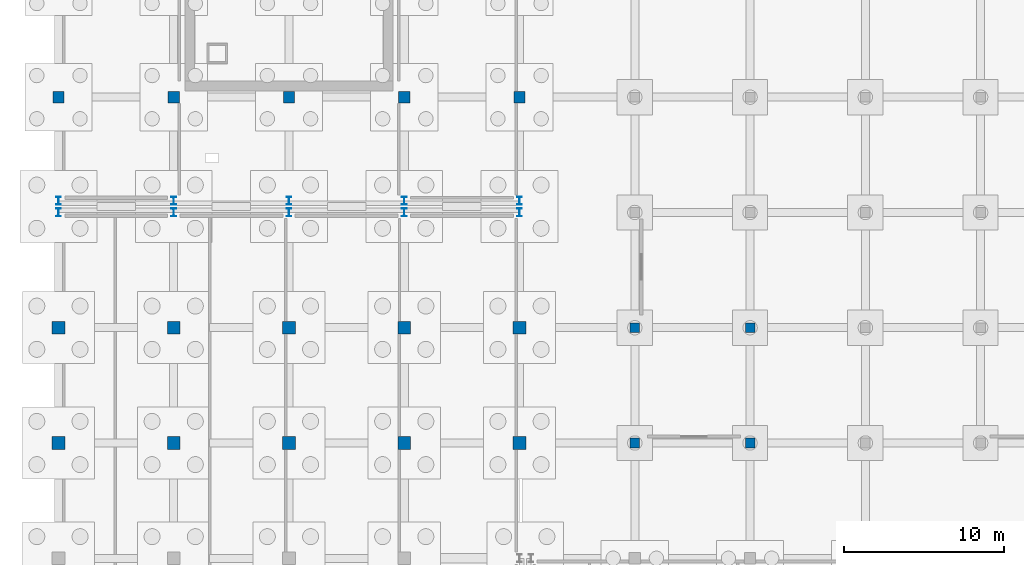
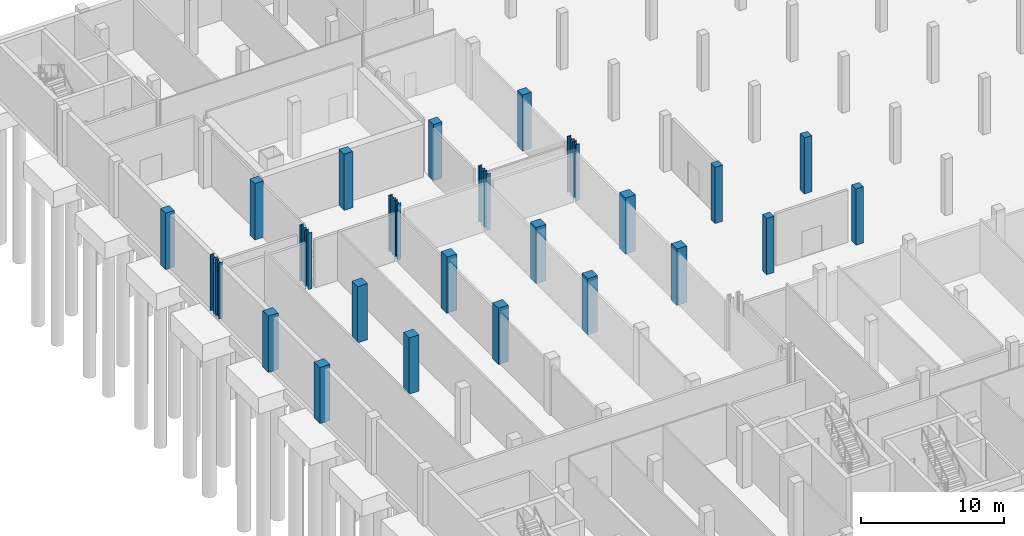
# One storey, part 11 of 35: 29 columns.
"""IFC4 building model written with IfcOpenShell, lengths in metres."""

from ifc_helpers import new_model, si_unit, direction, frame, origin, origin_2d, place, context, subcontext, project, spatial, rectangle, i_section, extrude, material, material_profile, profile_set, type_object, element, save


model = new_model("IFC4")

# Units and contexts
model_context = context("Model", 3, precision=1e-05, world=origin(), true_north=direction((0.0, 1.0)))
body_context = subcontext(model_context, "Body", "Model", "MODEL_VIEW")
ifc_project = project(units=[si_unit("LENGTHUNIT", "METRE"), si_unit("AREAUNIT", "SQUARE_METRE"), si_unit("VOLUMEUNIT", "CUBIC_METRE"), si_unit("PLANEANGLEUNIT", "RADIAN"), si_unit("MASSUNIT", "GRAM", prefix="KILO")], contexts=[model_context])

# Site, building, storey
site_placement = place(None, origin())
site = spatial("IfcSite", under=ifc_project, at=site_placement, CompositionType="ELEMENT")
building_placement = place(site_placement, origin())
building = spatial("IfcBuilding", under=site, at=building_placement, Name="Zarrinpeak Specialist Clinic", CompositionType="ELEMENT")
storey_placement = place(building_placement, frame((0.0, 0.0, -4.800048828125)))
storey = spatial("IfcBuildingStorey", under=building, at=storey_placement, Name="B01", CompositionType="ELEMENT", Elevation=-4.800048828125)

# Columns
ifc_material_1 = material(Name="Steel S355", Category="steel")
ifc_material_profile_1 = material_profile(ifc_material_1, i_section(OverallWidth=0.300048828125, OverallDepth=0.5, WebThickness=0.014404296875, FlangeThickness=0.028076171875, FilletRadius=0.027099609375, at=origin_2d()), Name="HEB 500")
ifc_profile_set_1 = profile_set([ifc_material_profile_1], Name="Steel S355")
column_type_1 = type_object("IfcColumnType", Name="COL-HEB500", PredefinedType="COLUMN", material=ifc_profile_set_1)
for number, where, z_axis, x_axis, name in (
    (1, (0.0, 50.39990234375, 0.0), (0.0, 0.0, 1.0), (1.0, 0.0, 0.0), "B01 Structural Column COL-B01-006"),
    (2, (0.0, 51.1201171875, 0.0), (0.0, 0.0, 1.0), (1.0, 0.0, 0.0), "B01 Structural Column COL-B01-007"),
    (3, (7.199951171875, 50.39990234375, 0.0), (0.0, 0.0, 1.0), (1.0, 0.0, 0.0), "B01 Structural Column COL-B01-019"),
    (4, (7.199951171875, 51.1201171875, 0.0), (0.0, 0.0, 1.0), (1.0, 0.0, 0.0), "B01 Structural Column COL-B01-020"),
    (5, (14.39990234375, 50.39990234375, 0.0), (0.0, 0.0, 1.0), (1.0, 0.0, 0.0), "B01 Structural Column COL-B01-033"),
    (6, (14.39990234375, 51.1201171875, 0.0), (0.0, 0.0, 1.0), (1.0, 0.0, 0.0), "B01 Structural Column COL-B01-034"),
    (7, (21.60009765625, 50.39990234375, 0.0), (0.0, 0.0, 1.0), (1.0, 0.0, 0.0), "B01 Structural Column COL-B01-047"),
    (8, (21.60009765625, 51.1201171875, 0.0), (0.0, 0.0, 1.0), (1.0, 0.0, 0.0), "B01 Structural Column COL-B01-048"),
    (9, (28.800048828125, 50.39990234375, 0.0), (0.0, 0.0, 1.0), (1.0, 0.0, 0.0), "B01 Structural Column COL-B01-059"),
    (10, (28.800048828125, 51.1201171875, 0.0), (0.0, 0.0, 1.0), (1.0, 0.0, 0.0), "B01 Structural Column COL-B01-060"),
):
    element("IfcColumn", number, at=place(storey_placement, frame(where, z_axis=z_axis, x_axis=x_axis)), inside=storey, type_object=column_type_1, Name=name, PredefinedType="COLUMN", context=body_context, shape_type="SweptSolid", body=[
        extrude(i_section(OverallWidth=0.300048828125, OverallDepth=0.5, WebThickness=0.014404296875, FlangeThickness=0.028076171875, FilletRadius=0.027099609375, at=origin_2d()), origin(), (0.0, 0.0, 1.0), 4.800048828125),
    ])
ifc_material_2 = material(Name="Concrete C40/50", Category="concrete")
ifc_material_profile_2 = material_profile(ifc_material_2, rectangle(XDim=0.60009765625, YDim=0.60009765625, at=origin_2d()), Name="RC 600x600")
ifc_profile_set_2 = profile_set([ifc_material_profile_2], Name="Concrete C40/50")
column_type_2 = type_object("IfcColumnType", Name="COL-RC600", PredefinedType="COLUMN", material=ifc_profile_set_2)
for number, where, z_axis, x_axis, name in (
    (11, (36.0, 36.0, 0.0), (0.0, 0.0, 1.0), (1.0, 0.0, 0.0), "B01 Structural Column COL-B01-074"),
    (12, (36.0, 43.199951171875, 0.0), (0.0, 0.0, 1.0), (1.0, 0.0, 0.0), "B01 Structural Column COL-B01-075"),
    (13, (43.199951171875, 36.0, 0.0), (0.0, 0.0, 1.0), (1.0, 0.0, 0.0), "B01 Structural Column COL-B01-091"),
    (14, (43.199951171875, 43.199951171875, 0.0), (0.0, 0.0, 1.0), (1.0, 0.0, 0.0), "B01 Structural Column COL-B01-092"),
):
    element("IfcColumn", number, at=place(storey_placement, frame(where, z_axis=z_axis, x_axis=x_axis)), inside=storey, type_object=column_type_2, Name=name, PredefinedType="COLUMN", context=body_context, shape_type="SweptSolid", body=[
        extrude(rectangle(XDim=0.60009765625, YDim=0.60009765625, at=origin_2d()), origin(), (0.0, 0.0, 1.0), 4.800048828125),
    ])
ifc_material_profile_3 = material_profile(ifc_material_2, rectangle(XDim=0.699951171875, YDim=0.699951171875, at=origin_2d()), Name="RC 700x700")
ifc_profile_set_3 = profile_set([ifc_material_profile_3], Name="Concrete C40/50")
column_type_3 = type_object("IfcColumnType", Name="COL-RC700", PredefinedType="COLUMN", material=ifc_profile_set_3)
for number, where, z_axis, x_axis, name in (
    (15, (0.0, 57.60009765625, 0.0), (0.0, 0.0, 1.0), (1.0, 0.0, 0.0), "B01 Structural Column COL-B01-008"),
    (16, (7.199951171875, 57.60009765625, 0.0), (0.0, 0.0, 1.0), (1.0, 0.0, 0.0), "B01 Structural Column COL-B01-021"),
    (17, (14.39990234375, 57.60009765625, 0.0), (0.0, 0.0, 1.0), (1.0, 0.0, 0.0), "B01 Structural Column COL-B01-035"),
    (18, (21.60009765625, 57.60009765625, 0.0), (0.0, 0.0, 1.0), (1.0, 0.0, 0.0), "B01 Structural Column COL-B01-049"),
    (19, (28.800048828125, 57.60009765625, 0.0), (0.0, 0.0, 1.0), (1.0, 0.0, 0.0), "B01 Structural Column COL-B01-061"),
):
    element("IfcColumn", number, at=place(storey_placement, frame(where, z_axis=z_axis, x_axis=x_axis)), inside=storey, type_object=column_type_3, Name=name, PredefinedType="COLUMN", context=body_context, shape_type="SweptSolid", body=[
        extrude(rectangle(XDim=0.699951171875, YDim=0.699951171875, at=origin_2d()), origin(), (0.0, 0.0, 1.0), 4.800048828125),
    ])
ifc_material_profile_4 = material_profile(ifc_material_2, rectangle(XDim=0.800048828125, YDim=0.800048828125, at=origin_2d()), Name="RC 800x800")
ifc_profile_set_4 = profile_set([ifc_material_profile_4], Name="Concrete C40/50")
column_type_4 = type_object("IfcColumnType", Name="COL-RC800", PredefinedType="COLUMN", material=ifc_profile_set_4)
for number, where, z_axis, x_axis, name in (
    (20, (0.0, 36.0, 0.0), (0.0, 0.0, 1.0), (1.0, 0.0, 0.0), "B01 Structural Column COL-B01-004"),
    (21, (0.0, 43.199951171875, 0.0), (0.0, 0.0, 1.0), (1.0, 0.0, 0.0), "B01 Structural Column COL-B01-005"),
    (22, (7.199951171875, 36.0, 0.0), (0.0, 0.0, 1.0), (1.0, 0.0, 0.0), "B01 Structural Column COL-B01-017"),
    (23, (7.199951171875, 43.199951171875, 0.0), (0.0, 0.0, 1.0), (1.0, 0.0, 0.0), "B01 Structural Column COL-B01-018"),
    (24, (14.39990234375, 36.0, 0.0), (0.0, 0.0, 1.0), (1.0, 0.0, 0.0), "B01 Structural Column COL-B01-031"),
    (25, (14.39990234375, 43.199951171875, 0.0), (0.0, 0.0, 1.0), (1.0, 0.0, 0.0), "B01 Structural Column COL-B01-032"),
    (26, (21.60009765625, 36.0, 0.0), (0.0, 0.0, 1.0), (1.0, 0.0, 0.0), "B01 Structural Column COL-B01-045"),
    (27, (21.60009765625, 43.199951171875, 0.0), (0.0, 0.0, 1.0), (1.0, 0.0, 0.0), "B01 Structural Column COL-B01-046"),
    (28, (28.800048828125, 36.0, 0.0), (0.0, 0.0, 1.0), (1.0, 0.0, 0.0), "B01 Structural Column COL-B01-057"),
    (29, (28.800048828125, 43.199951171875, 0.0), (0.0, 0.0, 1.0), (1.0, 0.0, 0.0), "B01 Structural Column COL-B01-058"),
):
    element("IfcColumn", number, at=place(storey_placement, frame(where, z_axis=z_axis, x_axis=x_axis)), inside=storey, type_object=column_type_4, Name=name, PredefinedType="COLUMN", context=body_context, shape_type="SweptSolid", body=[
        extrude(rectangle(XDim=0.800048828125, YDim=0.800048828125, at=origin_2d()), origin(), (0.0, 0.0, 1.0), 4.800048828125),
    ])

save(model, "model.ifc")
